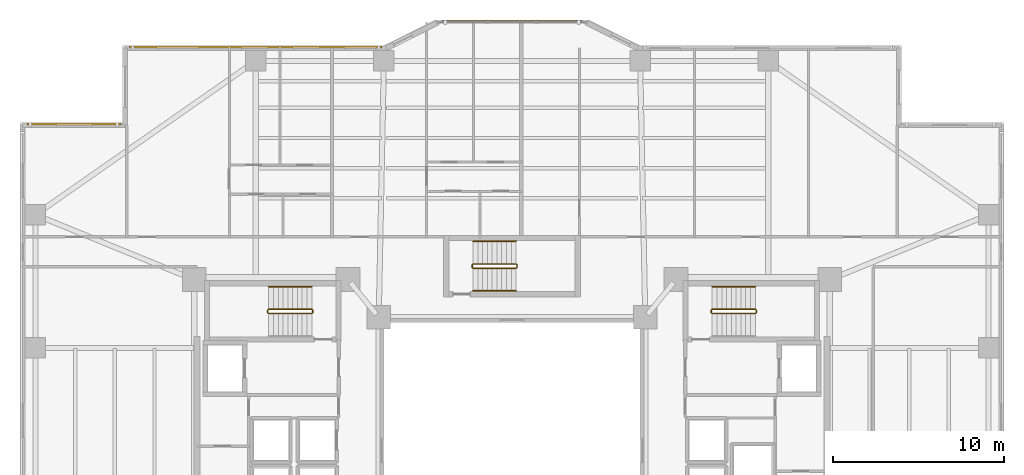
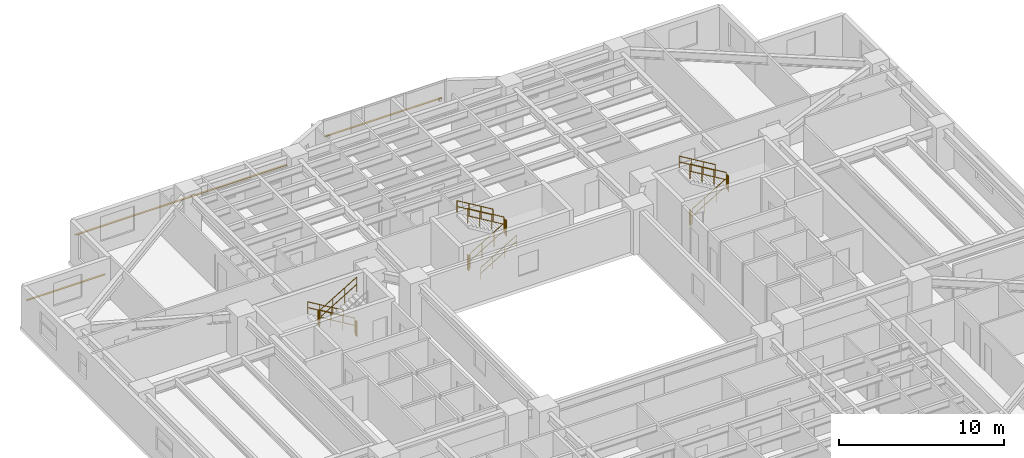
# One storey, part 20 of 21: 16 railings, 3 shading devices.
"""IFC4 building model written with IfcOpenShell, lengths in metres."""

from ifc_helpers import new_model, si_unit, direction, frame, origin, origin_2d, place, context, subcontext, project, spatial, rectangle, circle, extrude, material, material_profile, profile_set, type_object, element, save


model = new_model("IFC4")

# Units and contexts
model_context = context("Model", 3, precision=1e-05, world=origin(), true_north=direction((0.0, 1.0)))
body_context = subcontext(model_context, "Body", "Model", "MODEL_VIEW")
ifc_project = project(units=[si_unit("LENGTHUNIT", "METRE"), si_unit("AREAUNIT", "SQUARE_METRE"), si_unit("VOLUMEUNIT", "CUBIC_METRE"), si_unit("PLANEANGLEUNIT", "RADIAN"), si_unit("MASSUNIT", "GRAM", prefix="KILO")], contexts=[model_context])

# Site, building, storey
site_placement = place(None, origin())
site = spatial("IfcSite", under=ifc_project, at=site_placement, CompositionType="ELEMENT")
building_placement = place(site_placement, origin())
building = spatial("IfcBuilding", under=site, at=building_placement, Name="Tarnavaz Court Tower", CompositionType="ELEMENT")
storey_placement = place(building_placement, frame((0.0, 0.0, 37.39990234375)))
storey = spatial("IfcBuildingStorey", under=building, at=storey_placement, Name="L09", CompositionType="ELEMENT", Elevation=37.39990234375)

# Railings
ifc_material_1 = material(Name="Brushed Stainless Steel", Category="steel")
railing_type_1 = type_object("IfcRailingType", Name="RL-HANDRAIL-900", PredefinedType="HANDRAIL", material=ifc_material_1)
for number, where, name in (
    (1, (-11.719970703125, 9.590087890625, 0.16748046875), "L09 ST-W1 stair handrail 1"),
    (2, (14.239990234375, 9.590087890625, 1.842529296875), "L09 ST-E1 stair handrail 2"),
):
    element("IfcRailing", number, at=place(storey_placement, frame(where)), inside=storey, type_object=railing_type_1, Name=name, PredefinedType="HANDRAIL", context=body_context, shape_type="SweptSolid", body=[
        extrude(circle(Radius=0.02392578125, at=origin_2d()), frame((0.0, 0.0, 0.8759765625), z_axis=(-0.858159760407, 0.0, 0.513382728203), x_axis=(0.0, -1.0, 0.0)), (0.0, 0.0, 1.0), 2.9365234375),
        extrude(circle(Radius=0.02392578125, at=origin_2d()), frame((0.0, 0.0, 0.449951171875), z_axis=(-0.858159760407, 0.0, 0.513382728203), x_axis=(0.0, -1.0, 0.0)), (0.0, 0.0, 1.0), 2.9365234375),
        extrude(circle(Radius=0.02099609375, at=origin_2d()), origin(), (0.0, 0.0, 1.0), 0.851806640625),
        extrude(circle(Radius=0.02099609375, at=origin_2d()), frame((-0.840087890625, 0.0, 0.50244140625)), (0.0, 0.0, 1.0), 0.851806640625),
        extrude(circle(Radius=0.02099609375, at=origin_2d()), frame((-1.679931640625, 0.0, 1.005126953125)), (0.0, 0.0, 1.0), 0.851806640625),
        extrude(circle(Radius=0.02099609375, at=origin_2d()), frame((-2.52001953125, 0.0, 1.507568359375)), (0.0, 0.0, 1.0), 0.851806640625),
    ])
railing_1_placement = place(storey_placement, frame((-2.280029296875, 9.35009765625, 0.16748046875)))
element("IfcRailing", 3, at=railing_1_placement, inside=storey, type_object=railing_type_1, Name="L09 ST-N1 stair handrail 1", PredefinedType="HANDRAIL", context=body_context, shape_type="SweptSolid", body=[
    extrude(circle(Radius=0.02392578125, at=origin_2d()), frame((0.0, 0.0, 0.8759765625), z_axis=(0.858159760407, 0.0, 0.513382728203), x_axis=(0.0, 1.0, 0.0)), (0.0, 0.0, 1.0), 2.9365234375),
    extrude(circle(Radius=0.02392578125, at=origin_2d()), frame((0.0, 0.0, 0.449951171875), z_axis=(0.858159760407, 0.0, 0.513382728203), x_axis=(0.0, 1.0, 0.0)), (0.0, 0.0, 1.0), 2.9365234375),
    extrude(circle(Radius=0.02099609375, at=origin_2d()), origin(), (0.0, 0.0, 1.0), 0.851806640625),
    extrude(circle(Radius=0.02099609375, at=origin_2d()), frame((0.840087890625, 0.0, 0.50244140625)), (0.0, 0.0, 1.0), 0.851806640625),
    extrude(circle(Radius=0.02099609375, at=origin_2d()), frame((1.679931640625, 0.0, 1.005126953125)), (0.0, 0.0, 1.0), 0.851806640625),
    extrude(circle(Radius=0.02099609375, at=origin_2d()), frame((2.52001953125, 0.0, 1.507568359375)), (0.0, 0.0, 1.0), 0.851806640625),
])
railing_2_placement = place(storey_placement, frame((0.239990234375, 12.239990234375, 1.842529296875)))
element("IfcRailing", 4, at=railing_2_placement, inside=storey, type_object=railing_type_1, Name="L09 ST-N1 stair handrail 2", PredefinedType="HANDRAIL", context=body_context, shape_type="SweptSolid", body=[
    extrude(circle(Radius=0.02392578125, at=origin_2d()), frame((0.0, 0.0, 0.8759765625), z_axis=(-0.858159760407, 0.0, 0.513382728203), x_axis=(0.0, -1.0, 0.0)), (0.0, 0.0, 1.0), 2.9365234375),
    extrude(circle(Radius=0.02392578125, at=origin_2d()), frame((0.0, 0.0, 0.449951171875), z_axis=(-0.858159760407, 0.0, 0.513382728203), x_axis=(0.0, -1.0, 0.0)), (0.0, 0.0, 1.0), 2.9365234375),
    extrude(circle(Radius=0.02099609375, at=origin_2d()), origin(), (0.0, 0.0, 1.0), 0.851806640625),
    extrude(circle(Radius=0.02099609375, at=origin_2d()), frame((-0.840087890625, 0.0, 0.50244140625)), (0.0, 0.0, 1.0), 0.851806640625),
    extrude(circle(Radius=0.02099609375, at=origin_2d()), frame((-1.679931640625, 0.0, 1.005126953125)), (0.0, 0.0, 1.0), 0.851806640625),
    extrude(circle(Radius=0.02099609375, at=origin_2d()), frame((-2.52001953125, 0.0, 1.507568359375)), (0.0, 0.0, 1.0), 0.851806640625),
])
ifc_material_2 = material(Name="Galvanized Painted Tubular Steel", Category="steel")
railing_type_2 = type_object("IfcRailingType", Name="RL-STGUARD-1120", PredefinedType="GUARDRAIL", material=ifc_material_2)
railing_3_placement = place(storey_placement, frame((-11.719970703125, 8.27001953125, 0.16748046875)))
element("IfcRailing", 5, at=railing_3_placement, inside=storey, type_object=railing_type_2, Name="L09 ST-W1 stair guard 1", PredefinedType="GUARDRAIL", context=body_context, shape_type="SweptSolid", body=[
    extrude(circle(Radius=0.02392578125, at=origin_2d()), frame((0.0, 0.0, 1.09619140625), z_axis=(-0.858159760407, 0.0, 0.513382728203), x_axis=(0.0, -1.0, 0.0)), (0.0, 0.0, 1.0), 2.9365234375),
    extrude(circle(Radius=0.02392578125, at=origin_2d()), frame((0.0, 0.0, 0.56005859375), z_axis=(-0.858159760407, 0.0, 0.513382728203), x_axis=(0.0, -1.0, 0.0)), (0.0, 0.0, 1.0), 2.9365234375),
    extrude(circle(Radius=0.02099609375, at=origin_2d()), origin(), (0.0, 0.0, 1.0), 1.072021484375),
    extrude(circle(Radius=0.02099609375, at=origin_2d()), frame((-0.840087890625, 0.0, 0.50244140625)), (0.0, 0.0, 1.0), 1.072021484375),
    extrude(circle(Radius=0.02099609375, at=origin_2d()), frame((-1.679931640625, 0.0, 1.005126953125)), (0.0, 0.0, 1.0), 1.072021484375),
    extrude(circle(Radius=0.02099609375, at=origin_2d()), frame((-2.52001953125, 0.0, 1.507568359375)), (0.0, 0.0, 1.0), 1.072021484375),
])
railing_4_placement = place(storey_placement, frame((-14.2900390625, 8.219970703125, 1.675048828125)))
element("IfcRailing", 6, at=railing_4_placement, inside=storey, type_object=railing_type_2, Name="L09 ST-W1 stair guard 2", PredefinedType="GUARDRAIL", context=body_context, shape_type="SweptSolid", body=[
    extrude(circle(Radius=0.02392578125, at=origin_2d()), frame((0.0, 0.0, 1.09619140625), z_axis=(0.0, -1.0, 0.0), x_axis=(1.0, 0.0, 0.0)), (0.0, 0.0, 1.0), 0.14990234375),
    extrude(circle(Radius=0.02392578125, at=origin_2d()), frame((0.0, 0.0, 0.56005859375), z_axis=(0.0, -1.0, 0.0), x_axis=(1.0, 0.0, 0.0)), (0.0, 0.0, 1.0), 0.14990234375),
    extrude(circle(Radius=0.02099609375, at=origin_2d()), origin(), (0.0, 0.0, 1.0), 1.072021484375),
    extrude(circle(Radius=0.02099609375, at=origin_2d()), frame((0.0, -0.14990234375, 0.0)), (0.0, 0.0, 1.0), 1.072021484375),
])
railing_5_placement = place(storey_placement, frame((-14.239990234375, 8.02001953125, 1.842529296875)))
element("IfcRailing", 7, at=railing_5_placement, inside=storey, type_object=railing_type_2, Name="L09 ST-W1 stair guard 3", PredefinedType="GUARDRAIL", context=body_context, shape_type="SweptSolid", body=[
    extrude(circle(Radius=0.02392578125, at=origin_2d()), frame((0.0, 0.0, 1.09619140625), z_axis=(0.858159760407, 0.0, 0.513382728203), x_axis=(0.0, 1.0, 0.0)), (0.0, 0.0, 1.0), 2.9365234375),
    extrude(circle(Radius=0.02392578125, at=origin_2d()), frame((0.0, 0.0, 0.56005859375), z_axis=(0.858159760407, 0.0, 0.513382728203), x_axis=(0.0, 1.0, 0.0)), (0.0, 0.0, 1.0), 2.9365234375),
    extrude(circle(Radius=0.02099609375, at=origin_2d()), origin(), (0.0, 0.0, 1.0), 1.072021484375),
    extrude(circle(Radius=0.02099609375, at=origin_2d()), frame((0.840087890625, 0.0, 0.50244140625)), (0.0, 0.0, 1.0), 1.072021484375),
    extrude(circle(Radius=0.02099609375, at=origin_2d()), frame((1.679931640625, 0.0, 1.005126953125)), (0.0, 0.0, 1.0), 1.072021484375),
    extrude(circle(Radius=0.02099609375, at=origin_2d()), frame((2.52001953125, 0.0, 1.507568359375)), (0.0, 0.0, 1.0), 1.072021484375),
])
railing_6_placement = place(storey_placement, frame((-11.669921875, 8.219970703125, 0.0)))
element("IfcRailing", 8, at=railing_6_placement, inside=storey, type_object=railing_type_2, Name="L09 ST-W1 stair guard 4", PredefinedType="GUARDRAIL", context=body_context, shape_type="SweptSolid", body=[
    extrude(circle(Radius=0.02392578125, at=origin_2d()), frame((0.0, 0.0, 1.09619140625), z_axis=(0.0, -1.0, 0.0), x_axis=(1.0, 0.0, 0.0)), (0.0, 0.0, 1.0), 0.14990234375),
    extrude(circle(Radius=0.02392578125, at=origin_2d()), frame((0.0, 0.0, 0.56005859375), z_axis=(0.0, -1.0, 0.0), x_axis=(1.0, 0.0, 0.0)), (0.0, 0.0, 1.0), 0.14990234375),
    extrude(circle(Radius=0.02099609375, at=origin_2d()), origin(), (0.0, 0.0, 1.0), 1.072021484375),
    extrude(circle(Radius=0.02099609375, at=origin_2d()), frame((0.0, -0.14990234375, 0.0)), (0.0, 0.0, 1.0), 1.072021484375),
])
railing_7_placement = place(storey_placement, frame((11.719970703125, 8.02001953125, 0.16748046875)))
element("IfcRailing", 9, at=railing_7_placement, inside=storey, type_object=railing_type_2, Name="L09 ST-E1 stair guard 1", PredefinedType="GUARDRAIL", context=body_context, shape_type="SweptSolid", body=[
    extrude(circle(Radius=0.02392578125, at=origin_2d()), frame((0.0, 0.0, 1.09619140625), z_axis=(0.858159760407, 0.0, 0.513382728203), x_axis=(0.0, 1.0, 0.0)), (0.0, 0.0, 1.0), 2.9365234375),
    extrude(circle(Radius=0.02392578125, at=origin_2d()), frame((0.0, 0.0, 0.56005859375), z_axis=(0.858159760407, 0.0, 0.513382728203), x_axis=(0.0, 1.0, 0.0)), (0.0, 0.0, 1.0), 2.9365234375),
    extrude(circle(Radius=0.02099609375, at=origin_2d()), origin(), (0.0, 0.0, 1.0), 1.072021484375),
    extrude(circle(Radius=0.02099609375, at=origin_2d()), frame((0.840087890625, 0.0, 0.50244140625)), (0.0, 0.0, 1.0), 1.072021484375),
    extrude(circle(Radius=0.02099609375, at=origin_2d()), frame((1.679931640625, 0.0, 1.005126953125)), (0.0, 0.0, 1.0), 1.072021484375),
    extrude(circle(Radius=0.02099609375, at=origin_2d()), frame((2.52001953125, 0.0, 1.507568359375)), (0.0, 0.0, 1.0), 1.072021484375),
])
railing_8_placement = place(storey_placement, frame((14.2900390625, 8.070068359375, 1.675048828125)))
element("IfcRailing", 10, at=railing_8_placement, inside=storey, type_object=railing_type_2, Name="L09 ST-E1 stair guard 2", PredefinedType="GUARDRAIL", context=body_context, shape_type="SweptSolid", body=[
    extrude(circle(Radius=0.02392578125, at=origin_2d()), frame((0.0, 0.0, 1.09619140625), z_axis=(0.0, 1.0, 0.0), x_axis=(-1.0, 0.0, 0.0)), (0.0, 0.0, 1.0), 0.14990234375),
    extrude(circle(Radius=0.02392578125, at=origin_2d()), frame((0.0, 0.0, 0.56005859375), z_axis=(0.0, 1.0, 0.0), x_axis=(-1.0, 0.0, 0.0)), (0.0, 0.0, 1.0), 0.14990234375),
    extrude(circle(Radius=0.02099609375, at=origin_2d()), origin(), (0.0, 0.0, 1.0), 1.072021484375),
    extrude(circle(Radius=0.02099609375, at=origin_2d()), frame((0.0, 0.14990234375, 0.0)), (0.0, 0.0, 1.0), 1.072021484375),
])
railing_9_placement = place(storey_placement, frame((14.239990234375, 8.27001953125, 1.842529296875)))
element("IfcRailing", 11, at=railing_9_placement, inside=storey, type_object=railing_type_2, Name="L09 ST-E1 stair guard 3", PredefinedType="GUARDRAIL", context=body_context, shape_type="SweptSolid", body=[
    extrude(circle(Radius=0.02392578125, at=origin_2d()), frame((0.0, 0.0, 1.09619140625), z_axis=(-0.858159760407, 0.0, 0.513382728203), x_axis=(0.0, -1.0, 0.0)), (0.0, 0.0, 1.0), 2.9365234375),
    extrude(circle(Radius=0.02392578125, at=origin_2d()), frame((0.0, 0.0, 0.56005859375), z_axis=(-0.858159760407, 0.0, 0.513382728203), x_axis=(0.0, -1.0, 0.0)), (0.0, 0.0, 1.0), 2.9365234375),
    extrude(circle(Radius=0.02099609375, at=origin_2d()), origin(), (0.0, 0.0, 1.0), 1.072021484375),
    extrude(circle(Radius=0.02099609375, at=origin_2d()), frame((-0.840087890625, 0.0, 0.50244140625)), (0.0, 0.0, 1.0), 1.072021484375),
    extrude(circle(Radius=0.02099609375, at=origin_2d()), frame((-1.679931640625, 0.0, 1.005126953125)), (0.0, 0.0, 1.0), 1.072021484375),
    extrude(circle(Radius=0.02099609375, at=origin_2d()), frame((-2.52001953125, 0.0, 1.507568359375)), (0.0, 0.0, 1.0), 1.072021484375),
])
railing_10_placement = place(storey_placement, frame((11.669921875, 8.070068359375, 0.0)))
element("IfcRailing", 12, at=railing_10_placement, inside=storey, type_object=railing_type_2, Name="L09 ST-E1 stair guard 4", PredefinedType="GUARDRAIL", context=body_context, shape_type="SweptSolid", body=[
    extrude(circle(Radius=0.02392578125, at=origin_2d()), frame((0.0, 0.0, 1.09619140625), z_axis=(0.0, 1.0, 0.0), x_axis=(-1.0, 0.0, 0.0)), (0.0, 0.0, 1.0), 0.14990234375),
    extrude(circle(Radius=0.02392578125, at=origin_2d()), frame((0.0, 0.0, 0.56005859375), z_axis=(0.0, 1.0, 0.0), x_axis=(-1.0, 0.0, 0.0)), (0.0, 0.0, 1.0), 0.14990234375),
    extrude(circle(Radius=0.02099609375, at=origin_2d()), origin(), (0.0, 0.0, 1.0), 1.072021484375),
    extrude(circle(Radius=0.02099609375, at=origin_2d()), frame((0.0, 0.14990234375, 0.0)), (0.0, 0.0, 1.0), 1.072021484375),
])
railing_11_placement = place(storey_placement, frame((-2.280029296875, 10.669921875, 0.16748046875)))
element("IfcRailing", 13, at=railing_11_placement, inside=storey, type_object=railing_type_2, Name="L09 ST-N1 stair guard 1", PredefinedType="GUARDRAIL", context=body_context, shape_type="SweptSolid", body=[
    extrude(circle(Radius=0.02392578125, at=origin_2d()), frame((0.0, 0.0, 1.09619140625), z_axis=(0.858159760407, 0.0, 0.513382728203), x_axis=(0.0, 1.0, 0.0)), (0.0, 0.0, 1.0), 2.9365234375),
    extrude(circle(Radius=0.02392578125, at=origin_2d()), frame((0.0, 0.0, 0.56005859375), z_axis=(0.858159760407, 0.0, 0.513382728203), x_axis=(0.0, 1.0, 0.0)), (0.0, 0.0, 1.0), 2.9365234375),
    extrude(circle(Radius=0.02099609375, at=origin_2d()), origin(), (0.0, 0.0, 1.0), 1.072021484375),
    extrude(circle(Radius=0.02099609375, at=origin_2d()), frame((0.840087890625, 0.0, 0.50244140625)), (0.0, 0.0, 1.0), 1.072021484375),
    extrude(circle(Radius=0.02099609375, at=origin_2d()), frame((1.679931640625, 0.0, 1.005126953125)), (0.0, 0.0, 1.0), 1.072021484375),
    extrude(circle(Radius=0.02099609375, at=origin_2d()), frame((2.52001953125, 0.0, 1.507568359375)), (0.0, 0.0, 1.0), 1.072021484375),
])
railing_12_placement = place(storey_placement, frame((0.2900390625, 10.719970703125, 1.675048828125)))
element("IfcRailing", 14, at=railing_12_placement, inside=storey, type_object=railing_type_2, Name="L09 ST-N1 stair guard 2", PredefinedType="GUARDRAIL", context=body_context, shape_type="SweptSolid", body=[
    extrude(circle(Radius=0.02392578125, at=origin_2d()), frame((0.0, 0.0, 1.09619140625), z_axis=(0.0, 1.0, 0.0), x_axis=(-1.0, 0.0, 0.0)), (0.0, 0.0, 1.0), 0.150146484375),
    extrude(circle(Radius=0.02392578125, at=origin_2d()), frame((0.0, 0.0, 0.56005859375), z_axis=(0.0, 1.0, 0.0), x_axis=(-1.0, 0.0, 0.0)), (0.0, 0.0, 1.0), 0.150146484375),
    extrude(circle(Radius=0.02099609375, at=origin_2d()), origin(), (0.0, 0.0, 1.0), 1.072021484375),
    extrude(circle(Radius=0.02099609375, at=origin_2d()), frame((0.0, 0.150146484375, 0.0)), (0.0, 0.0, 1.0), 1.072021484375),
])
railing_13_placement = place(storey_placement, frame((0.239990234375, 10.919921875, 1.842529296875)))
element("IfcRailing", 15, at=railing_13_placement, inside=storey, type_object=railing_type_2, Name="L09 ST-N1 stair guard 3", PredefinedType="GUARDRAIL", context=body_context, shape_type="SweptSolid", body=[
    extrude(circle(Radius=0.02392578125, at=origin_2d()), frame((0.0, 0.0, 1.09619140625), z_axis=(-0.858159760407, 0.0, 0.513382728203), x_axis=(0.0, -1.0, 0.0)), (0.0, 0.0, 1.0), 2.9365234375),
    extrude(circle(Radius=0.02392578125, at=origin_2d()), frame((0.0, 0.0, 0.56005859375), z_axis=(-0.858159760407, 0.0, 0.513382728203), x_axis=(0.0, -1.0, 0.0)), (0.0, 0.0, 1.0), 2.9365234375),
    extrude(circle(Radius=0.02099609375, at=origin_2d()), origin(), (0.0, 0.0, 1.0), 1.072021484375),
    extrude(circle(Radius=0.02099609375, at=origin_2d()), frame((-0.840087890625, 0.0, 0.50244140625)), (0.0, 0.0, 1.0), 1.072021484375),
    extrude(circle(Radius=0.02099609375, at=origin_2d()), frame((-1.679931640625, 0.0, 1.005126953125)), (0.0, 0.0, 1.0), 1.072021484375),
    extrude(circle(Radius=0.02099609375, at=origin_2d()), frame((-2.52001953125, 0.0, 1.507568359375)), (0.0, 0.0, 1.0), 1.072021484375),
])
railing_14_placement = place(storey_placement, frame((-2.330078125, 10.719970703125, 0.0)))
element("IfcRailing", 16, at=railing_14_placement, inside=storey, type_object=railing_type_2, Name="L09 ST-N1 stair guard 4", PredefinedType="GUARDRAIL", context=body_context, shape_type="SweptSolid", body=[
    extrude(circle(Radius=0.02392578125, at=origin_2d()), frame((0.0, 0.0, 1.09619140625), z_axis=(0.0, 1.0, 0.0), x_axis=(-1.0, 0.0, 0.0)), (0.0, 0.0, 1.0), 0.150146484375),
    extrude(circle(Radius=0.02392578125, at=origin_2d()), frame((0.0, 0.0, 0.56005859375), z_axis=(0.0, 1.0, 0.0), x_axis=(-1.0, 0.0, 0.0)), (0.0, 0.0, 1.0), 0.150146484375),
    extrude(circle(Radius=0.02099609375, at=origin_2d()), origin(), (0.0, 0.0, 1.0), 1.072021484375),
    extrude(circle(Radius=0.02099609375, at=origin_2d()), frame((0.0, 0.150146484375, 0.0)), (0.0, 0.0, 1.0), 1.072021484375),
])

# Shading devices
ifc_material_3 = material(Name="Kiln-Fired Khorasan Terracotta Ceramic", Category="masonry")
ifc_material_profile = material_profile(ifc_material_3, rectangle(XDim=0.1201171875, YDim=0.06005859375, at=origin_2d()), Name="TC BAGUETTE 120X60")
ifc_profile_set = profile_set([ifc_material_profile], Name="Kiln-Fired Khorasan Terracotta Ceramic")
shading_device_type = type_object("IfcShadingDeviceType", Name="SD-BAG-120", PredefinedType="USERDEFINED", material=ifc_profile_set)
shading_device_1_placement = place(storey_placement, frame((-28.39990234375, 19.110107421875, 1.85009765625), z_axis=(1.0, 0.0, 0.0), x_axis=(0.0, 1.0, 0.0)))
element("IfcShadingDevice", 17, at=shading_device_1_placement, inside=storey, type_object=shading_device_type, Name="L09 Terracotta Baguette Screen FBG03", ObjectType="BAGUETTE", PredefinedType="USERDEFINED", context=body_context, shape_type="SweptSolid", body=[
    extrude(rectangle(XDim=0.1201171875, YDim=0.06005859375, at=origin_2d()), origin(), (0.0, 0.0, 1.0), 5.5),
])
shading_device_2_placement = place(storey_placement, frame((-22.39990234375, 23.610107421875, 1.85009765625), z_axis=(1.0, 0.0, 0.0), x_axis=(0.0, 1.0, 0.0)))
element("IfcShadingDevice", 18, at=shading_device_2_placement, inside=storey, type_object=shading_device_type, Name="L09 Terracotta Baguette Screen FBG05", ObjectType="BAGUETTE", PredefinedType="USERDEFINED", context=body_context, shape_type="SweptSolid", body=[
    extrude(rectangle(XDim=0.1201171875, YDim=0.06005859375, at=origin_2d()), origin(), (0.0, 0.0, 1.0), 14.7998046875),
])
shading_device_3_placement = place(storey_placement, frame((-4.10009765625, 25.110107421875, 1.800048828125), z_axis=(1.0, 0.0, 0.0), x_axis=(0.0, 1.0, 0.0)))
element("IfcShadingDevice", 19, at=shading_device_3_placement, inside=storey, type_object=shading_device_type, Name="L09 Terracotta Baguette Screen PBG7", ObjectType="BAGUETTE", PredefinedType="USERDEFINED", context=body_context, shape_type="SweptSolid", body=[
    extrude(rectangle(XDim=0.1201171875, YDim=0.06005859375, at=origin_2d()), origin(), (0.0, 0.0, 1.0), 8.2001953125),
])

save(model, "model.ifc")
